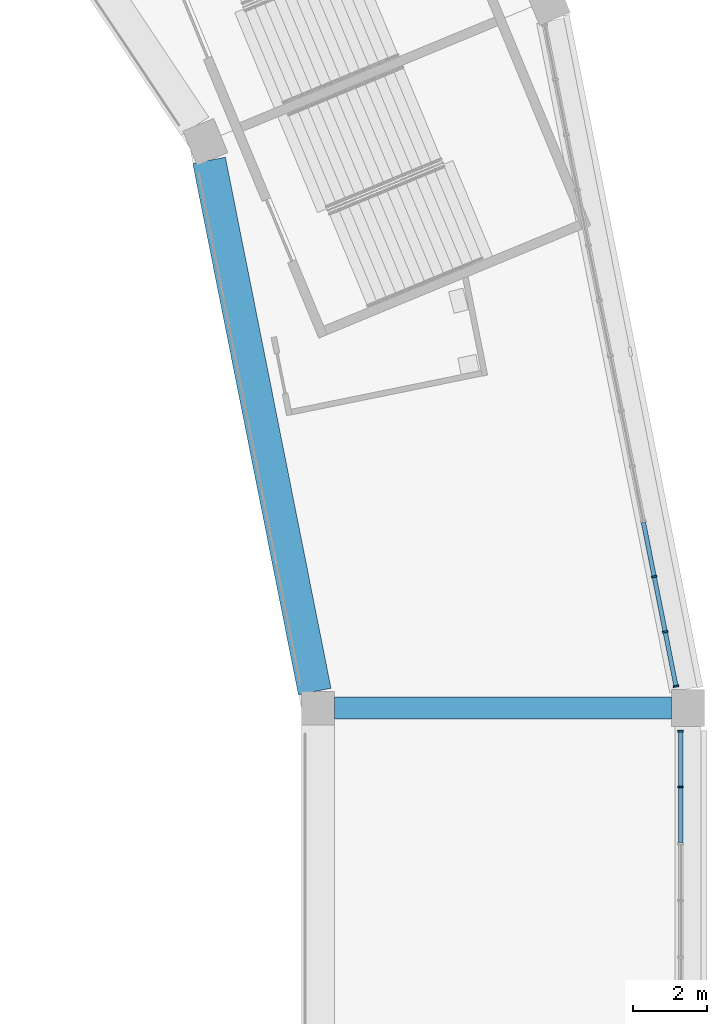
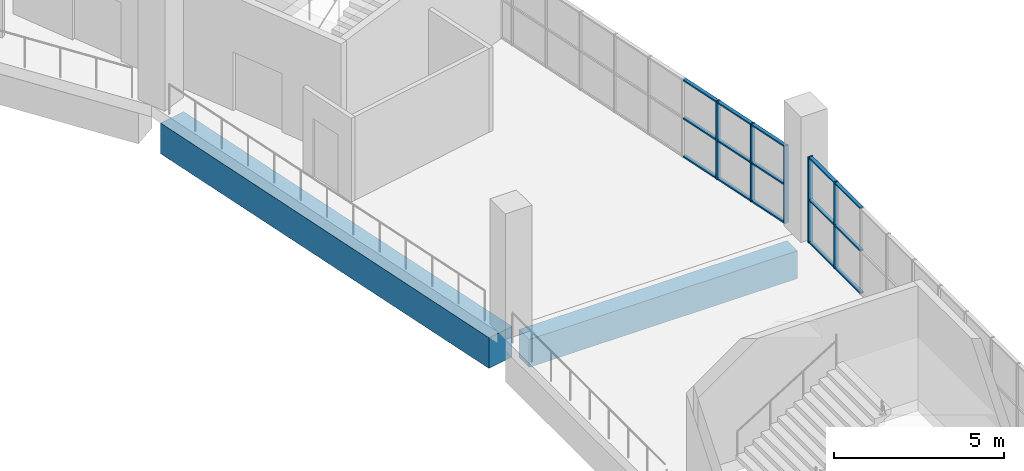
# One storey, part 37 of 177: 20 members, 2 beams, 2 elements without a shape of their own.
"""IFC4 building model written with IfcOpenShell, lengths in metres."""

from ifc_helpers import new_model, si_unit, direction, frame, origin, origin_2d, place, context, subcontext, project, spatial, rectangle, extrude, material, material_profile, profile_set, type_object, element, aggregate, save


model = new_model("IFC4")

# Units and contexts
model_context = context("Model", 3, precision=1e-05, world=origin(), true_north=direction((0.0, 1.0)))
body_context = subcontext(model_context, "Body", "Model", "MODEL_VIEW")
ifc_project = project(units=[si_unit("LENGTHUNIT", "METRE"), si_unit("AREAUNIT", "SQUARE_METRE"), si_unit("VOLUMEUNIT", "CUBIC_METRE"), si_unit("PLANEANGLEUNIT", "RADIAN"), si_unit("MASSUNIT", "GRAM", prefix="KILO")], contexts=[model_context])

# Site, building, storey
site_placement = place(None, origin())
site = spatial("IfcSite", under=ifc_project, at=site_placement, CompositionType="ELEMENT")
building_placement = place(site_placement, origin())
building = spatial("IfcBuilding", under=site, at=building_placement, Name="Ogive Plaza Stadium", CompositionType="ELEMENT")
storey_placement = place(building_placement, frame((0.0, 0.0, 18.0)))
storey = spatial("IfcBuildingStorey", under=building, at=storey_placement, Name="L04", CompositionType="ELEMENT", Elevation=18.0)

# Curtain wall, members
ifc_material_1 = material(Name="Bronze-anodised aluminium with laminated glass", Category="aluminium")
curtain_wall_type = type_object("IfcCurtainWallType", Name="Lancet curtain wall", PredefinedType="NOTDEFINED", material=ifc_material_1)
curtain_wall_1_placement = place(storey_placement, origin())
curtain_wall_1 = element("IfcCurtainWall", 1, at=curtain_wall_1_placement, inside=storey, type_object=curtain_wall_type, Name="CURTAIN WALL B01 L04", PredefinedType="NOTDEFINED")
ifc_material_2 = material(Name="Bronze-anodised aluminium", Category="aluminium")
ifc_material_profile_1 = material_profile(ifc_material_2, rectangle(XDim=0.14990234375, YDim=0.050048828125, at=origin_2d()), Name="AL 150x50")
ifc_profile_set_1 = profile_set([ifc_material_profile_1], Name="Bronze-anodised aluminium")
member_type_1 = type_object("IfcMemberType", Name="Curtain wall mullion 50x150", PredefinedType="MULLION", material=ifc_profile_set_1)
member_1_placement = place(storey_placement, frame((83.800048828125, 51.875, 0.0), z_axis=(0.0, 0.0, 1.0), x_axis=(1.0, 0.0, 0.0)))
member_1 = element("IfcMember", 2, at=member_1_placement, type_object=member_type_1, Name="CW-B01-L04 mullion 1", PredefinedType="MULLION", context=body_context, shape_type="SweptSolid", body=[
    extrude(rectangle(XDim=0.14990234375, YDim=0.050048828125, at=origin_2d()), origin(), (0.0, 0.0, 1.0), 3.090087890625),
])
member_2_placement = place(storey_placement, frame((83.800048828125, 50.36669921875, 0.0), z_axis=(0.0, 0.0, 1.0), x_axis=(1.0, 0.0, 0.0)))
member_2 = element("IfcMember", 3, at=member_2_placement, type_object=member_type_1, Name="CW-B01-L04 mullion 2", PredefinedType="MULLION", context=body_context, shape_type="SweptSolid", body=[
    extrude(rectangle(XDim=0.14990234375, YDim=0.050048828125, at=origin_2d()), origin(), (0.0, 0.0, 1.0), 3.090087890625),
])

curtain_wall_2_placement = place(storey_placement, origin())
curtain_wall_2 = element("IfcCurtainWall", 4, at=curtain_wall_2_placement, inside=storey, type_object=curtain_wall_type, Name="CURTAIN WALL B40 L04", PredefinedType="NOTDEFINED")
member_3_placement = place(storey_placement, frame((83.0888671875, 56.0556640625, 0.0), z_axis=(0.0, 0.0, 1.0), x_axis=(0.9807852804, 0.195090322033, 0.0)))
member_3 = element("IfcMember", 5, at=member_3_placement, type_object=member_type_1, Name="CW-B40-L04 mullion 11", PredefinedType="MULLION", context=body_context, shape_type="SweptSolid", body=[
    extrude(rectangle(XDim=0.14990234375, YDim=0.050048828125, at=origin_2d()), origin(), (0.0, 0.0, 1.0), 2.7900390625),
])
member_4_placement = place(storey_placement, frame((83.3857421875, 54.5625, 0.0), z_axis=(0.0, 0.0, 1.0), x_axis=(0.9807852804, 0.195090322033, 0.0)))
member_4 = element("IfcMember", 6, at=member_4_placement, type_object=member_type_1, Name="CW-B40-L04 mullion 12", PredefinedType="MULLION", context=body_context, shape_type="SweptSolid", body=[
    extrude(rectangle(XDim=0.14990234375, YDim=0.050048828125, at=origin_2d()), origin(), (0.0, 0.0, 1.0), 2.7900390625),
])
member_5_placement = place(storey_placement, frame((83.677978515625, 53.093994140625, 0.0), z_axis=(0.0, 0.0, 1.0), x_axis=(0.9807852804, 0.195090322033, 0.0)))
member_5 = element("IfcMember", 7, at=member_5_placement, type_object=member_type_1, Name="CW-B40-L04 mullion 13", PredefinedType="MULLION", context=body_context, shape_type="SweptSolid", body=[
    extrude(rectangle(XDim=0.14990234375, YDim=0.050048828125, at=origin_2d()), origin(), (0.0, 0.0, 1.0), 2.7900390625),
])

# Member
ifc_material_3 = material(Name="Bronze-anodised aluminium", Category="aluminium")
ifc_material_profile_2 = material_profile(ifc_material_3, rectangle(XDim=0.1201171875, YDim=0.050048828125, at=origin_2d()), Name="AL 120x50")
ifc_profile_set_2 = profile_set([ifc_material_profile_2], Name="Bronze-anodised aluminium")
member_type_2 = type_object("IfcMemberType", Name="Curtain wall transom 50x120", PredefinedType="USERDEFINED", material=ifc_profile_set_2)
member_6_placement = place(storey_placement, frame((83.800048828125, 51.85009765625, 0.02490234375), z_axis=(0.0, -1.0, 0.0), x_axis=(1.0, 0.0, 0.0)))
member_6 = element("IfcMember", 8, at=member_6_placement, type_object=member_type_2, Name="CW-B01-L04 transom 1.1", ObjectType="TRANSOM", PredefinedType="USERDEFINED", context=body_context, shape_type="SweptSolid", body=[
    extrude(rectangle(XDim=0.1201171875, YDim=0.050048828125, at=origin_2d()), origin(), (0.0, 0.0, 1.0), 1.45849609375),
])

member_7_placement = place(storey_placement, frame((83.800048828125, 51.85009765625, 1.544921875), z_axis=(0.0, -1.0, 0.0), x_axis=(1.0, 0.0, 0.0)))
member_7 = element("IfcMember", 9, at=member_7_placement, type_object=member_type_2, Name="CW-B01-L04 transom 1.2", ObjectType="TRANSOM", PredefinedType="USERDEFINED", context=body_context, shape_type="SweptSolid", body=[
    extrude(rectangle(XDim=0.1201171875, YDim=0.050048828125, at=origin_2d()), origin(), (0.0, 0.0, 1.0), 1.45849609375),
])

member_8_placement = place(storey_placement, frame((83.800048828125, 51.85009765625, 3.06494140625), z_axis=(0.0, -1.0, 0.0), x_axis=(1.0, 0.0, 0.0)))
member_8 = element("IfcMember", 10, at=member_8_placement, type_object=member_type_2, Name="CW-B01-L04 transom 1.3", ObjectType="TRANSOM", PredefinedType="USERDEFINED", context=body_context, shape_type="SweptSolid", body=[
    extrude(rectangle(XDim=0.1201171875, YDim=0.050048828125, at=origin_2d()), origin(), (0.0, 0.0, 1.0), 1.45849609375),
])

member_9_placement = place(storey_placement, frame((83.800048828125, 50.341552734375, 0.02490234375), z_axis=(0.0, -1.0, 0.0), x_axis=(1.0, 0.0, 0.0)))
member_9 = element("IfcMember", 11, at=member_9_placement, type_object=member_type_2, Name="CW-B01-L04 transom 2.1", ObjectType="TRANSOM", PredefinedType="USERDEFINED", context=body_context, shape_type="SweptSolid", body=[
    extrude(rectangle(XDim=0.1201171875, YDim=0.050048828125, at=origin_2d()), origin(), (0.0, 0.0, 1.0), 1.483154296875),
])

member_10_placement = place(storey_placement, frame((83.800048828125, 50.341552734375, 1.544921875), z_axis=(0.0, -1.0, 0.0), x_axis=(1.0, 0.0, 0.0)))
member_10 = element("IfcMember", 12, at=member_10_placement, type_object=member_type_2, Name="CW-B01-L04 transom 2.2", ObjectType="TRANSOM", PredefinedType="USERDEFINED", context=body_context, shape_type="SweptSolid", body=[
    extrude(rectangle(XDim=0.1201171875, YDim=0.050048828125, at=origin_2d()), origin(), (0.0, 0.0, 1.0), 1.483154296875),
])

member_11_placement = place(storey_placement, frame((83.800048828125, 50.341552734375, 3.06494140625), z_axis=(0.0, -1.0, 0.0), x_axis=(1.0, 0.0, 0.0)))
member_11 = element("IfcMember", 13, at=member_11_placement, type_object=member_type_2, Name="CW-B01-L04 transom 2.3", ObjectType="TRANSOM", PredefinedType="USERDEFINED", context=body_context, shape_type="SweptSolid", body=[
    extrude(rectangle(XDim=0.1201171875, YDim=0.050048828125, at=origin_2d()), origin(), (0.0, 0.0, 1.0), 1.483154296875),
])

aggregate(curtain_wall_1, [member_1, member_2, member_6, member_7, member_8, member_9, member_10, member_11])

member_12_placement = place(storey_placement, frame((82.796630859375, 57.524169921875, 0.02490234375), z_axis=(0.195191182816, -0.980765212551, 0.0), x_axis=(0.980765212551, 0.195191182816, 0.0)))
member_12 = element("IfcMember", 14, at=member_12_placement, type_object=member_type_2, Name="CW-B40-L04 transom 10.1", ObjectType="TRANSOM", PredefinedType="USERDEFINED", context=body_context, shape_type="SweptSolid", body=[
    extrude(rectangle(XDim=0.1201171875, YDim=0.050048828125, at=origin_2d()), origin(), (0.0, 0.0, 1.0), 1.47216796875),
])

member_13_placement = place(storey_placement, frame((82.796630859375, 57.524169921875, 1.39501953125), z_axis=(0.195191182816, -0.980765212551, 0.0), x_axis=(0.980765212551, 0.195191182816, 0.0)))
member_13 = element("IfcMember", 15, at=member_13_placement, type_object=member_type_2, Name="CW-B40-L04 transom 10.2", ObjectType="TRANSOM", PredefinedType="USERDEFINED", context=body_context, shape_type="SweptSolid", body=[
    extrude(rectangle(XDim=0.1201171875, YDim=0.050048828125, at=origin_2d()), origin(), (0.0, 0.0, 1.0), 1.47216796875),
])

member_14_placement = place(storey_placement, frame((82.796630859375, 57.524169921875, 2.764892578125), z_axis=(0.195191182816, -0.980765212551, 0.0), x_axis=(0.980765212551, 0.195191182816, 0.0)))
member_14 = element("IfcMember", 16, at=member_14_placement, type_object=member_type_2, Name="CW-B40-L04 transom 10.3", ObjectType="TRANSOM", PredefinedType="USERDEFINED", context=body_context, shape_type="SweptSolid", body=[
    extrude(rectangle(XDim=0.1201171875, YDim=0.050048828125, at=origin_2d()), origin(), (0.0, 0.0, 1.0), 1.47216796875),
])

member_15_placement = place(storey_placement, frame((83.09375, 56.03125, 0.02490234375), z_axis=(0.194999937042, -0.980803254763, 0.0), x_axis=(0.980803254763, 0.194999937042, 0.0)))
member_15 = element("IfcMember", 17, at=member_15_placement, type_object=member_type_2, Name="CW-B40-L04 transom 11.1", ObjectType="TRANSOM", PredefinedType="USERDEFINED", context=body_context, shape_type="SweptSolid", body=[
    extrude(rectangle(XDim=0.1201171875, YDim=0.050048828125, at=origin_2d()), origin(), (0.0, 0.0, 1.0), 1.472412109375),
])

member_16_placement = place(storey_placement, frame((83.09375, 56.03125, 1.39501953125), z_axis=(0.194999937042, -0.980803254763, 0.0), x_axis=(0.980803254763, 0.194999937042, 0.0)))
member_16 = element("IfcMember", 18, at=member_16_placement, type_object=member_type_2, Name="CW-B40-L04 transom 11.2", ObjectType="TRANSOM", PredefinedType="USERDEFINED", context=body_context, shape_type="SweptSolid", body=[
    extrude(rectangle(XDim=0.1201171875, YDim=0.050048828125, at=origin_2d()), origin(), (0.0, 0.0, 1.0), 1.472412109375),
])

member_17_placement = place(storey_placement, frame((83.09375, 56.03125, 2.764892578125), z_axis=(0.194999937042, -0.980803254763, 0.0), x_axis=(0.980803254763, 0.194999937042, 0.0)))
member_17 = element("IfcMember", 19, at=member_17_placement, type_object=member_type_2, Name="CW-B40-L04 transom 11.3", ObjectType="TRANSOM", PredefinedType="USERDEFINED", context=body_context, shape_type="SweptSolid", body=[
    extrude(rectangle(XDim=0.1201171875, YDim=0.050048828125, at=origin_2d()), origin(), (0.0, 0.0, 1.0), 1.472412109375),
])

member_18_placement = place(storey_placement, frame((83.390625, 54.5380859375, 0.02490234375), z_axis=(0.195175269199, -0.980768379534, 0.0), x_axis=(0.980768379534, 0.195175269199, 0.0)))
member_18 = element("IfcMember", 20, at=member_18_placement, type_object=member_type_2, Name="CW-B40-L04 transom 12.1", ObjectType="TRANSOM", PredefinedType="USERDEFINED", context=body_context, shape_type="SweptSolid", body=[
    extrude(rectangle(XDim=0.1201171875, YDim=0.050048828125, at=origin_2d()), origin(), (0.0, 0.0, 1.0), 1.447265625),
])

member_19_placement = place(storey_placement, frame((83.390625, 54.5380859375, 1.39501953125), z_axis=(0.195175269199, -0.980768379534, 0.0), x_axis=(0.980768379534, 0.195175269199, 0.0)))
member_19 = element("IfcMember", 21, at=member_19_placement, type_object=member_type_2, Name="CW-B40-L04 transom 12.2", ObjectType="TRANSOM", PredefinedType="USERDEFINED", context=body_context, shape_type="SweptSolid", body=[
    extrude(rectangle(XDim=0.1201171875, YDim=0.050048828125, at=origin_2d()), origin(), (0.0, 0.0, 1.0), 1.447265625),
])

member_20_placement = place(storey_placement, frame((83.390625, 54.5380859375, 2.764892578125), z_axis=(0.195175269199, -0.980768379534, 0.0), x_axis=(0.980768379534, 0.195175269199, 0.0)))
member_20 = element("IfcMember", 22, at=member_20_placement, type_object=member_type_2, Name="CW-B40-L04 transom 12.3", ObjectType="TRANSOM", PredefinedType="USERDEFINED", context=body_context, shape_type="SweptSolid", body=[
    extrude(rectangle(XDim=0.1201171875, YDim=0.050048828125, at=origin_2d()), origin(), (0.0, 0.0, 1.0), 1.447265625),
])

aggregate(curtain_wall_2, [member_3, member_4, member_5, member_12, member_13, member_14, member_15, member_16, member_17, member_18, member_19, member_20])

# Beams
ifc_material_4 = material(Name="Concrete C40/50", Category="concrete")
ifc_material_profile_3 = material_profile(ifc_material_4, rectangle(XDim=0.60009765625, YDim=1.0, at=origin_2d()), Name="RC 600x1000")
ifc_profile_set_3 = profile_set([ifc_material_profile_3], Name="Concrete C40/50")
beam_type_1 = type_object("IfcBeamType", Name="RC radial beam 600x1000", PredefinedType="BEAM", material=ifc_profile_set_3)
beam_1_placement = place(storey_placement, frame((74.449951171875, 52.5, -0.909912109375), z_axis=(1.0, 0.0, 0.0), x_axis=(0.0, 1.0, 0.0)))
element("IfcBeam", 23, at=beam_1_placement, inside=storey, type_object=beam_type_1, Name="Radial beam L04 R01 F4F5", PredefinedType="BEAM", context=body_context, shape_type="SweptSolid", body=[
    extrude(rectangle(XDim=0.60009765625, YDim=1.0, at=origin_2d()), origin(), (0.0, 0.0, 1.0), 9.10009765625),
])
ifc_material_5 = material(Name="Concrete C40/50", Category="concrete")
ifc_material_profile_4 = material_profile(ifc_material_5, rectangle(XDim=0.89990234375, YDim=1.10009765625, at=origin_2d()), Name="RC 900x1100")
ifc_profile_set_4 = profile_set([ifc_material_profile_4], Name="Concrete C40/50")
beam_type_2 = type_object("IfcBeamType", Name="RC ring beam 900x1100", PredefinedType="BEAM", material=ifc_profile_set_4)
beam_2_placement = place(storey_placement, frame((71.0546875, 67.307373046875, -0.9599609375), z_axis=(0.195080078519, -0.980787317906, 0.0), x_axis=(0.980787317906, 0.195080078519, 0.0)))
element("IfcBeam", 24, at=beam_2_placement, inside=storey, type_object=beam_type_2, Name="Ring beam F4 L04 B40", PredefinedType="BEAM", context=body_context, shape_type="SweptSolid", body=[
    extrude(rectangle(XDim=0.89990234375, YDim=1.10009765625, at=origin_2d()), origin(), (0.0, 0.0, 1.0), 14.638671875),
])

save(model, "model.ifc")
